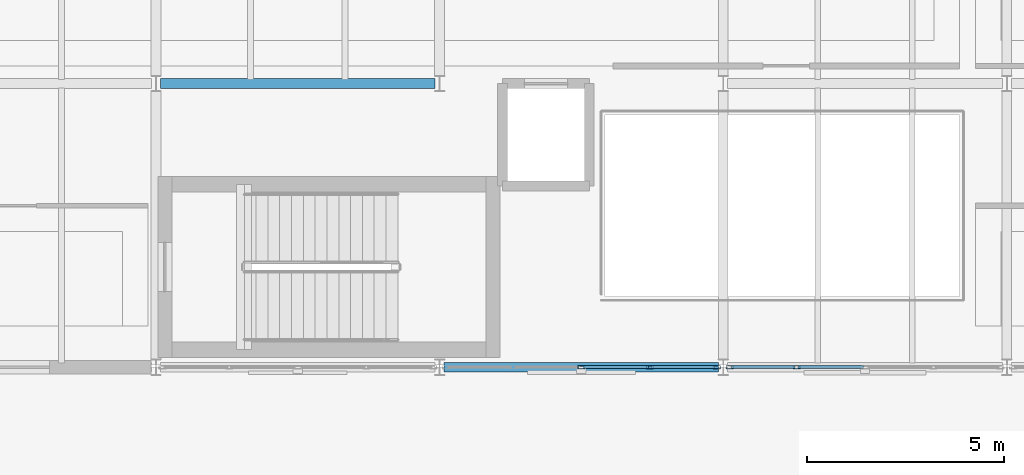
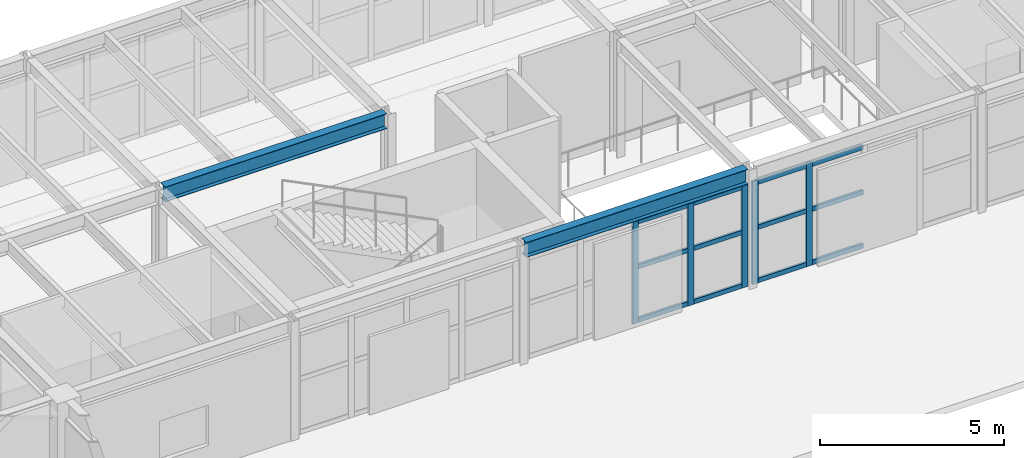
# One storey, part 13 of 37: 17 members, 2 beams, 2 elements without a shape of their own.
"""IFC4 building model written with IfcOpenShell, lengths in metres."""

import ifcopenshell
import ifcopenshell.guid

model = None  # the IFC model being written
_history = None  # IfcOwnerHistory: only IFC2X3 demands one
_inside = {}  # id of a spatial element -> (the spatial element, [elements in it])
_under = {}  # id of a project, library or spatial element -> (it, [spatial elements below it])
_declared = {}  # id of a project -> (the project, [libraries it declares])
_typed = {}  # id of a type object -> (the type object, [elements of that type])
_made_of = {}  # id of a material, layer set ... -> (it, [elements and type objects made of it])


def new_model(schema):
    """Start an empty IFC model of exactly this schema.

    Asked for "IFC4X3", IfcOpenShell would pick the latest addendum, in which some entities
    have other attributes; the version numbers below select the first issue.
    IFC2X3 requires an IfcOwnerHistory on every rooted entity: one is made here for all.
    """
    global model, _history
    if schema == "IFC4X3":
        model = ifcopenshell.file(schema_version=(4, 3, 0, 0))
    else:
        model = ifcopenshell.file(schema=schema)
    _inside.clear()
    _under.clear()
    _declared.clear()
    _typed.clear()
    _made_of.clear()
    _history = None
    if model.schema == "IFC2X3":
        org = make("IfcOrganization", Name="unknown")
        user = make(
            "IfcPersonAndOrganization",
            ThePerson=make("IfcPerson", FamilyName="unknown"),
            TheOrganization=org,
        )
        app = make(
            "IfcApplication",
            ApplicationDeveloper=org,
            Version="unknown",
            ApplicationFullName="unknown",
            ApplicationIdentifier="unknown",
        )
        _history = make(
            "IfcOwnerHistory",
            OwningUser=user,
            OwningApplication=app,
            ChangeAction="ADDED",
            CreationDate=0,
        )
    return model


def make(cls, **values):
    """One entity of the class cls with the attributes given. An attribute that is None is left unset."""
    return model.create_entity(
        cls, **{name: value for name, value in values.items() if value is not None}
    )


def rooted(cls, **values):
    """An entity with a GlobalId (a new one), such as an element, a storey or a relation."""
    return make(cls, GlobalId=ifcopenshell.guid.new(), OwnerHistory=_history, **values)


def si_unit(unit_type, name, prefix=None):
    """IfcSIUnit, for example si_unit("LENGTHUNIT", "METRE", prefix="MILLI")."""
    return make("IfcSIUnit", UnitType=unit_type, Prefix=prefix, Name=name)


def assignment(units):
    """IfcUnitAssignment: the units of a project."""
    return None if units is None else make("IfcUnitAssignment", Units=units)


def point(xyz):
    """IfcCartesianPoint."""
    return None if xyz is None else make("IfcCartesianPoint", Coordinates=xyz)


def direction(xyz):
    """IfcDirection."""
    return None if xyz is None else make("IfcDirection", DirectionRatios=xyz)


def frame(location, z_axis=None, x_axis=None):
    """IfcAxis2Placement3D, a coordinate frame: its origin and axes. An axis left out is left unset."""
    return make(
        "IfcAxis2Placement3D",
        Location=point(location),
        Axis=direction(z_axis),
        RefDirection=direction(x_axis),
    )


def frame_2d(location, x_axis=None):
    """IfcAxis2Placement2D, a coordinate frame in the plane: its origin and x axis."""
    return make(
        "IfcAxis2Placement2D", Location=point(location), RefDirection=direction(x_axis)
    )


def origin():
    """The frame at (0, 0, 0) with its axes left unset."""
    return frame((0.0, 0.0, 0.0))


def origin_2d():
    """The frame at (0, 0) in the plane with its x axis left unset."""
    return frame_2d((0.0, 0.0))


def place(relative_to, where):
    """IfcLocalPlacement: puts the frame where relative to a parent placement (None: the world)."""
    return make(
        "IfcLocalPlacement", PlacementRelTo=relative_to, RelativePlacement=where
    )


def context(
    kind, dimensions, precision=None, world=None, true_north=None, identifier=None
):
    """IfcGeometricRepresentationContext, for example the 3D "Model" context."""
    return make(
        "IfcGeometricRepresentationContext",
        ContextIdentifier=identifier,
        ContextType=kind,
        CoordinateSpaceDimension=dimensions,
        Precision=precision,
        WorldCoordinateSystem=world,
        TrueNorth=true_north,
    )


def subcontext(parent, identifier, kind, view, scale=None):
    """IfcGeometricRepresentationSubContext, for example "Body" below "Model"."""
    return make(
        "IfcGeometricRepresentationSubContext",
        ContextIdentifier=identifier,
        ContextType=kind,
        ParentContext=parent,
        TargetScale=scale,
        TargetView=view,
    )


def project(units=None, contexts=None):
    """IfcProject with its units and contexts."""
    return rooted(
        "IfcProject",
        Name="project",
        RepresentationContexts=contexts,
        UnitsInContext=assignment(units),
    )


def spatial(cls, under=None, at=None, **own):
    """A site, building, storey or space (cls), placed at a placement, below another one or the project."""
    s = rooted(cls, ObjectPlacement=at, **own)
    if under is not None:
        _under.setdefault(under.id(), (under, []))[1].append(s)
    return s


def profile(cls, at=None, kind="AREA", **sizes):
    """A parametric profile (cls). Its sizes go by their IFC names, for example OverallWidth=200.0."""
    return make(cls, ProfileType=kind, Position=at, **sizes)


def hollow_rectangle(**sizes):
    """IfcRectangleHollowProfileDef."""
    return profile("IfcRectangleHollowProfileDef", **sizes)


def i_section(**sizes):
    """IfcIShapeProfileDef."""
    return profile("IfcIShapeProfileDef", **sizes)


def extrude(swept, where, along, depth):
    """IfcExtrudedAreaSolid: the profile swept, set in the frame where, extruded along a direction by depth."""
    return make(
        "IfcExtrudedAreaSolid",
        SweptArea=swept,
        Position=where,
        ExtrudedDirection=direction(along),
        Depth=depth,
    )


def shape(context_of_items, identifier, shape_type, items):
    """IfcShapeRepresentation: the items that make up one representation, for example the "Body"."""
    return make(
        "IfcShapeRepresentation",
        ContextOfItems=context_of_items,
        RepresentationIdentifier=identifier,
        RepresentationType=shape_type,
        Items=items,
    )


def material(Name=None, Category=None):
    """IfcMaterial."""
    return make("IfcMaterial", Name=Name, Category=Category)


def layer(
    of_material, thickness, ventilated=None, Name=None, Category=None, Priority=None
):
    """IfcMaterialLayer: one layer of a wall or slab, of a material (None: an air gap)."""
    return make(
        "IfcMaterialLayer",
        Material=of_material,
        LayerThickness=thickness,
        IsVentilated=ventilated,
        Name=Name,
        Category=Category,
        Priority=Priority,
    )


def layer_set(layers, Name=None):
    """IfcMaterialLayerSet."""
    return make("IfcMaterialLayerSet", MaterialLayers=layers, LayerSetName=Name)


def material_profile(
    of_material, cross_section, Name=None, Category=None, Priority=None
):
    """IfcMaterialProfile: a cross section and its material."""
    return make(
        "IfcMaterialProfile",
        Name=Name,
        Material=of_material,
        Profile=cross_section,
        Priority=Priority,
        Category=Category,
    )


def profile_set(profiles, Name=None, composite=None):
    """IfcMaterialProfileSet."""
    return make(
        "IfcMaterialProfileSet",
        Name=Name,
        MaterialProfiles=profiles,
        CompositeProfile=composite,
    )


def made_of(thing, what):
    """Note that an element or type object is made of a material, layer set ...; save() writes the relation."""
    if what is not None:
        _made_of.setdefault(what.id(), (what, []))[1].append(thing)
    return thing


def type_object(cls, material=None, **own):
    """A type object (cls), such as IfcWallType, which elements share."""
    return made_of(rooted(cls, **own), material)


def element(
    cls,
    number,
    at=None,
    inside=None,
    cuts=None,
    type_object=None,
    material=None,
    context=None,
    identifier="Body",
    shape_type=None,
    held_by="IfcProductDefinitionShape",
    body=None,
    shapes=None,
    **own,
):
    """One element of the class cls, such as IfcWall. Its Tag is "e" and its number.

    at: its placement. inside: the storey or other place that contains it. cuts: it is an
    opening in that element (IfcRelVoidsElement). A single representation is given by context,
    identifier, shape_type and body (its items); several are given by shapes. held_by: the class
    of the entity that holds the representations. save() writes the other relations.
    """
    e = rooted(cls, Tag="e%d" % number, ObjectPlacement=at, **own)
    if body is not None:
        shapes = [shape(context, identifier, shape_type, body)]
    if shapes is not None:
        e.Representation = make(held_by, Representations=shapes)
    if inside is not None:
        _inside.setdefault(inside.id(), (inside, []))[1].append(e)
    if cuts is not None:
        rooted(
            "IfcRelVoidsElement", RelatingBuildingElement=cuts, RelatedOpeningElement=e
        )
    if type_object is not None:
        _typed.setdefault(type_object.id(), (type_object, []))[1].append(e)
    return made_of(e, material)


def aggregate(whole, parts):
    """IfcRelAggregates: a whole, such as a stair, and the parts it consists of."""
    return rooted("IfcRelAggregates", RelatingObject=whole, RelatedObjects=parts)


def save(model, path):
    """Write the relations noted so far, then the file.

    IfcRelAggregates (storeys below a building ...), IfcRelContainedInSpatialStructure (elements
    in a storey), IfcRelDefinesByType, IfcRelAssociatesMaterial and IfcRelDeclares: one each for
    every whole, place, type object, material and project.
    """
    for whole, parts in _under.values():
        aggregate(whole, parts)
    for where, things in _inside.values():
        rooted(
            "IfcRelContainedInSpatialStructure",
            RelatedElements=things,
            RelatingStructure=where,
        )
    for kind, things in _typed.values():
        rooted("IfcRelDefinesByType", RelatedObjects=things, RelatingType=kind)
    for what, things in _made_of.values():
        rooted("IfcRelAssociatesMaterial", RelatedObjects=things, RelatingMaterial=what)
    for by, libraries in _declared.values():
        rooted("IfcRelDeclares", RelatingContext=by, RelatedDefinitions=libraries)
    model.write(path)


model = new_model("IFC4")

# Units and contexts
model_context = context("Model", 3, precision=1e-05, world=origin(), true_north=direction((0.0, 1.0)))
body_context = subcontext(model_context, "Body", "Model", "MODEL_VIEW")
ifc_project = project(units=[si_unit("LENGTHUNIT", "METRE"), si_unit("AREAUNIT", "SQUARE_METRE"), si_unit("VOLUMEUNIT", "CUBIC_METRE"), si_unit("PLANEANGLEUNIT", "RADIAN"), si_unit("MASSUNIT", "GRAM", prefix="KILO")], contexts=[model_context])

# Site, building, storey
site_placement = place(None, origin())
site = spatial("IfcSite", under=ifc_project, at=site_placement, CompositionType="ELEMENT")
building_placement = place(site_placement, origin())
building = spatial("IfcBuilding", under=site, at=building_placement, Name="Kandorven Conservatory and Botanical Research Centre", CompositionType="ELEMENT")
storey_placement = place(building_placement, frame((0.0, 0.0, 9.0)))
storey = spatial("IfcBuildingStorey", under=building, at=storey_placement, Name="L02", CompositionType="ELEMENT", Elevation=9.0)

# Beams
ifc_material_1 = material(Name="Steel S355 (IS 2062 E350)", Category="steel")
ifc_material_profile_1 = material_profile(ifc_material_1, i_section(OverallWidth=0.25, OverallDepth=0.5, WebThickness=0.010009765625, FlangeThickness=0.0146484375, at=origin_2d()))
ifc_profile_set_1 = profile_set([ifc_material_profile_1], Name="Steel S355 (IS 2062 E350)")
beam_type = type_object("IfcBeamType", Name="Beam_FG-02", PredefinedType="USERDEFINED", material=ifc_profile_set_1)
beam_1_placement = place(storey_placement, frame((56.514892578125, 13.199951171875, 3.7099609375), z_axis=(1.0, 0.0, 0.0), x_axis=(0.0, 1.0, 0.0)))
element("IfcBeam", 1, at=beam_1_placement, inside=storey, type_object=beam_type, Name="Primary girder FG-02 VIS L02", ObjectType="GIRDER", PredefinedType="USERDEFINED", context=body_context, shape_type="SweptSolid", body=[
    extrude(i_section(OverallWidth=0.25, OverallDepth=0.5, WebThickness=0.010009765625, FlangeThickness=0.0146484375, at=origin_2d()), origin(), (0.0, 0.0, 1.0), 6.97021484375),
])
beam_2_placement = place(storey_placement, frame((49.31494140625, 20.39990234375, 3.7099609375), z_axis=(1.0, 0.0, 0.0), x_axis=(0.0, 1.0, 0.0)))
element("IfcBeam", 2, at=beam_2_placement, inside=storey, type_object=beam_type, Name="Primary girder FG-02 VIS L02", ObjectType="GIRDER", PredefinedType="USERDEFINED", context=body_context, shape_type="SweptSolid", body=[
    extrude(i_section(OverallWidth=0.25, OverallDepth=0.5, WebThickness=0.010009765625, FlangeThickness=0.0146484375, at=origin_2d()), origin(), (0.0, 0.0, 1.0), 6.969970703125),
])

# Curtain wall, members
ifc_material_2 = material(Name="Bronze anodised thermally broken aluminium", Category="aluminium")
ifc_layer = layer(ifc_material_2, 0.179931640625)
ifc_layer_set = layer_set([ifc_layer], Name="Bronze anodised thermally broken aluminium")
curtain_wall_type = type_object("IfcCurtainWallType", Name="CW_Unitised", PredefinedType="USERDEFINED", material=ifc_layer_set)
curtain_wall_1_placement = place(storey_placement, origin())
curtain_wall_1 = element("IfcCurtainWall", 3, at=curtain_wall_1_placement, inside=storey, type_object=curtain_wall_type, Name="Visitor wing unitised curtain wall CW-VIS-S-L02-3", ObjectType="UNITISED GLAZING", PredefinedType="USERDEFINED")
ifc_material_3 = material(Name="Bronze anodised thermally broken aluminium", Category="aluminium")
ifc_material_profile_2 = material_profile(ifc_material_3, hollow_rectangle(XDim=0.080078125, YDim=0.179931640625, WallThickness=0.006103515625, at=origin_2d()))
ifc_profile_set_2 = profile_set([ifc_material_profile_2], Name="Bronze anodised thermally broken aluminium")
member_type_1 = type_object("IfcMemberType", Name="CW_Mullion", PredefinedType="MULLION", material=ifc_profile_set_2)
member_1_placement = place(storey_placement, frame((60.0, 13.199951171875, 0.0), z_axis=(0.0, 0.0, 1.0), x_axis=(0.0, 1.0, 0.0)))
member_1 = element("IfcMember", 4, at=member_1_placement, type_object=member_type_1, Name="CW-01 mullion 3", PredefinedType="MULLION", context=body_context, shape_type="SweptSolid", body=[
    extrude(hollow_rectangle(XDim=0.080078125, YDim=0.179931640625, WallThickness=0.006103515625, at=origin_2d()), origin(), (0.0, 0.0, 1.0), 3.419921875),
])
member_2_placement = place(storey_placement, frame((61.737548828125, 13.199951171875, 0.0), z_axis=(0.0, 0.0, 1.0), x_axis=(0.0, 1.0, 0.0)))
member_2 = element("IfcMember", 5, at=member_2_placement, type_object=member_type_1, Name="CW-01 mullion 4", PredefinedType="MULLION", context=body_context, shape_type="SweptSolid", body=[
    extrude(hollow_rectangle(XDim=0.080078125, YDim=0.179931640625, WallThickness=0.006103515625, at=origin_2d()), origin(), (0.0, 0.0, 1.0), 3.419921875),
])
member_3_placement = place(storey_placement, frame((63.43505859375, 13.199951171875, 0.0), z_axis=(0.0, 0.0, 1.0), x_axis=(0.0, 1.0, 0.0)))
member_3 = element("IfcMember", 6, at=member_3_placement, type_object=member_type_1, Name="CW-01 mullion 5", PredefinedType="MULLION", context=body_context, shape_type="SweptSolid", body=[
    extrude(hollow_rectangle(XDim=0.080078125, YDim=0.179931640625, WallThickness=0.006103515625, at=origin_2d()), origin(), (0.0, 0.0, 1.0), 3.419921875),
])

curtain_wall_2_placement = place(storey_placement, origin())
curtain_wall_2 = element("IfcCurtainWall", 7, at=curtain_wall_2_placement, inside=storey, type_object=curtain_wall_type, Name="Visitor wing unitised curtain wall CW-VIS-S-L02-4", ObjectType="UNITISED GLAZING", PredefinedType="USERDEFINED")
member_4_placement = place(storey_placement, frame((63.764892578125, 13.199951171875, 0.0), z_axis=(0.0, 0.0, 1.0), x_axis=(0.0, 1.0, 0.0)))
member_4 = element("IfcMember", 8, at=member_4_placement, type_object=member_type_1, Name="CW-01 mullion 1", PredefinedType="MULLION", context=body_context, shape_type="SweptSolid", body=[
    extrude(hollow_rectangle(XDim=0.080078125, YDim=0.179931640625, WallThickness=0.006103515625, at=origin_2d()), origin(), (0.0, 0.0, 1.0), 3.419921875),
])
member_5_placement = place(storey_placement, frame((65.46240234375, 13.199951171875, 0.0), z_axis=(0.0, 0.0, 1.0), x_axis=(0.0, 1.0, 0.0)))
member_5 = element("IfcMember", 9, at=member_5_placement, type_object=member_type_1, Name="CW-01 mullion 2", PredefinedType="MULLION", context=body_context, shape_type="SweptSolid", body=[
    extrude(hollow_rectangle(XDim=0.080078125, YDim=0.179931640625, WallThickness=0.006103515625, at=origin_2d()), origin(), (0.0, 0.0, 1.0), 3.419921875),
])

# Member
ifc_material_4 = material(Name="Bronze anodised thermally broken aluminium", Category="aluminium")
ifc_material_profile_3 = material_profile(ifc_material_4, hollow_rectangle(XDim=0.074951171875, YDim=0.14990234375, WallThickness=0.006103515625, at=origin_2d()))
ifc_profile_set_3 = profile_set([ifc_material_profile_3], Name="Bronze anodised thermally broken aluminium")
member_type_2 = type_object("IfcMemberType", Name="CW_Transom", PredefinedType="USERDEFINED", material=ifc_profile_set_3)
member_6_placement = place(storey_placement, frame((60.0400390625, 13.199951171875, 0.074951171875), z_axis=(1.0, 0.0, 0.0), x_axis=(0.0, 1.0, 0.0)))
member_6 = element("IfcMember", 10, at=member_6_placement, type_object=member_type_2, Name="CW-01 transom 3.1", ObjectType="TRANSOM", PredefinedType="USERDEFINED", context=body_context, shape_type="SweptSolid", body=[
    extrude(hollow_rectangle(XDim=0.074951171875, YDim=0.14990234375, WallThickness=0.006103515625, at=origin_2d()), origin(), (0.0, 0.0, 1.0), 1.657470703125),
])

member_7_placement = place(storey_placement, frame((60.0400390625, 13.199951171875, 1.85009765625), z_axis=(1.0, 0.0, 0.0), x_axis=(0.0, 1.0, 0.0)))
member_7 = element("IfcMember", 11, at=member_7_placement, type_object=member_type_2, Name="CW-01 transom 3.2", ObjectType="TRANSOM", PredefinedType="USERDEFINED", context=body_context, shape_type="SweptSolid", body=[
    extrude(hollow_rectangle(XDim=0.074951171875, YDim=0.14990234375, WallThickness=0.006103515625, at=origin_2d()), origin(), (0.0, 0.0, 1.0), 1.657470703125),
])

member_8_placement = place(storey_placement, frame((60.0400390625, 13.199951171875, 3.344970703125), z_axis=(1.0, 0.0, 0.0), x_axis=(0.0, 1.0, 0.0)))
member_8 = element("IfcMember", 12, at=member_8_placement, type_object=member_type_2, Name="CW-01 transom 3.3", ObjectType="TRANSOM", PredefinedType="USERDEFINED", context=body_context, shape_type="SweptSolid", body=[
    extrude(hollow_rectangle(XDim=0.074951171875, YDim=0.14990234375, WallThickness=0.006103515625, at=origin_2d()), origin(), (0.0, 0.0, 1.0), 1.657470703125),
])

member_9_placement = place(storey_placement, frame((61.777587890625, 13.199951171875, 0.074951171875), z_axis=(1.0, 0.0, 0.0), x_axis=(0.0, 1.0, 0.0)))
member_9 = element("IfcMember", 13, at=member_9_placement, type_object=member_type_2, Name="CW-01 transom 4.1", ObjectType="TRANSOM", PredefinedType="USERDEFINED", context=body_context, shape_type="SweptSolid", body=[
    extrude(hollow_rectangle(XDim=0.074951171875, YDim=0.14990234375, WallThickness=0.006103515625, at=origin_2d()), origin(), (0.0, 0.0, 1.0), 1.617431640625),
])

member_10_placement = place(storey_placement, frame((61.777587890625, 13.199951171875, 1.85009765625), z_axis=(1.0, 0.0, 0.0), x_axis=(0.0, 1.0, 0.0)))
member_10 = element("IfcMember", 14, at=member_10_placement, type_object=member_type_2, Name="CW-01 transom 4.2", ObjectType="TRANSOM", PredefinedType="USERDEFINED", context=body_context, shape_type="SweptSolid", body=[
    extrude(hollow_rectangle(XDim=0.074951171875, YDim=0.14990234375, WallThickness=0.006103515625, at=origin_2d()), origin(), (0.0, 0.0, 1.0), 1.617431640625),
])

member_11_placement = place(storey_placement, frame((61.777587890625, 13.199951171875, 3.344970703125), z_axis=(1.0, 0.0, 0.0), x_axis=(0.0, 1.0, 0.0)))
member_11 = element("IfcMember", 15, at=member_11_placement, type_object=member_type_2, Name="CW-01 transom 4.3", ObjectType="TRANSOM", PredefinedType="USERDEFINED", context=body_context, shape_type="SweptSolid", body=[
    extrude(hollow_rectangle(XDim=0.074951171875, YDim=0.14990234375, WallThickness=0.006103515625, at=origin_2d()), origin(), (0.0, 0.0, 1.0), 1.617431640625),
])

aggregate(curtain_wall_1, [member_1, member_2, member_3, member_6, member_7, member_8, member_9, member_10, member_11])

member_12_placement = place(storey_placement, frame((63.804931640625, 13.199951171875, 0.074951171875), z_axis=(1.0, 0.0, 0.0), x_axis=(0.0, 1.0, 0.0)))
member_12 = element("IfcMember", 16, at=member_12_placement, type_object=member_type_2, Name="CW-01 transom 1.1", ObjectType="TRANSOM", PredefinedType="USERDEFINED", context=body_context, shape_type="SweptSolid", body=[
    extrude(hollow_rectangle(XDim=0.074951171875, YDim=0.14990234375, WallThickness=0.006103515625, at=origin_2d()), origin(), (0.0, 0.0, 1.0), 1.61767578125),
])

member_13_placement = place(storey_placement, frame((63.804931640625, 13.199951171875, 1.85009765625), z_axis=(1.0, 0.0, 0.0), x_axis=(0.0, 1.0, 0.0)))
member_13 = element("IfcMember", 17, at=member_13_placement, type_object=member_type_2, Name="CW-01 transom 1.2", ObjectType="TRANSOM", PredefinedType="USERDEFINED", context=body_context, shape_type="SweptSolid", body=[
    extrude(hollow_rectangle(XDim=0.074951171875, YDim=0.14990234375, WallThickness=0.006103515625, at=origin_2d()), origin(), (0.0, 0.0, 1.0), 1.61767578125),
])

member_14_placement = place(storey_placement, frame((63.804931640625, 13.199951171875, 3.344970703125), z_axis=(1.0, 0.0, 0.0), x_axis=(0.0, 1.0, 0.0)))
member_14 = element("IfcMember", 18, at=member_14_placement, type_object=member_type_2, Name="CW-01 transom 1.3", ObjectType="TRANSOM", PredefinedType="USERDEFINED", context=body_context, shape_type="SweptSolid", body=[
    extrude(hollow_rectangle(XDim=0.074951171875, YDim=0.14990234375, WallThickness=0.006103515625, at=origin_2d()), origin(), (0.0, 0.0, 1.0), 1.61767578125),
])

member_15_placement = place(storey_placement, frame((65.50244140625, 13.199951171875, 0.074951171875), z_axis=(1.0, 0.0, 0.0), x_axis=(0.0, 1.0, 0.0)))
member_15 = element("IfcMember", 19, at=member_15_placement, type_object=member_type_2, Name="CW-01 transom 2.1", ObjectType="TRANSOM", PredefinedType="USERDEFINED", context=body_context, shape_type="SweptSolid", body=[
    extrude(hollow_rectangle(XDim=0.074951171875, YDim=0.14990234375, WallThickness=0.006103515625, at=origin_2d()), origin(), (0.0, 0.0, 1.0), 1.657470703125),
])

member_16_placement = place(storey_placement, frame((65.50244140625, 13.199951171875, 1.85009765625), z_axis=(1.0, 0.0, 0.0), x_axis=(0.0, 1.0, 0.0)))
member_16 = element("IfcMember", 20, at=member_16_placement, type_object=member_type_2, Name="CW-01 transom 2.2", ObjectType="TRANSOM", PredefinedType="USERDEFINED", context=body_context, shape_type="SweptSolid", body=[
    extrude(hollow_rectangle(XDim=0.074951171875, YDim=0.14990234375, WallThickness=0.006103515625, at=origin_2d()), origin(), (0.0, 0.0, 1.0), 1.657470703125),
])

member_17_placement = place(storey_placement, frame((65.50244140625, 13.199951171875, 3.344970703125), z_axis=(1.0, 0.0, 0.0), x_axis=(0.0, 1.0, 0.0)))
member_17 = element("IfcMember", 21, at=member_17_placement, type_object=member_type_2, Name="CW-01 transom 2.3", ObjectType="TRANSOM", PredefinedType="USERDEFINED", context=body_context, shape_type="SweptSolid", body=[
    extrude(hollow_rectangle(XDim=0.074951171875, YDim=0.14990234375, WallThickness=0.006103515625, at=origin_2d()), origin(), (0.0, 0.0, 1.0), 1.657470703125),
])

aggregate(curtain_wall_2, [member_4, member_5, member_12, member_13, member_14, member_15, member_16, member_17])

save(model, "model.ifc")
